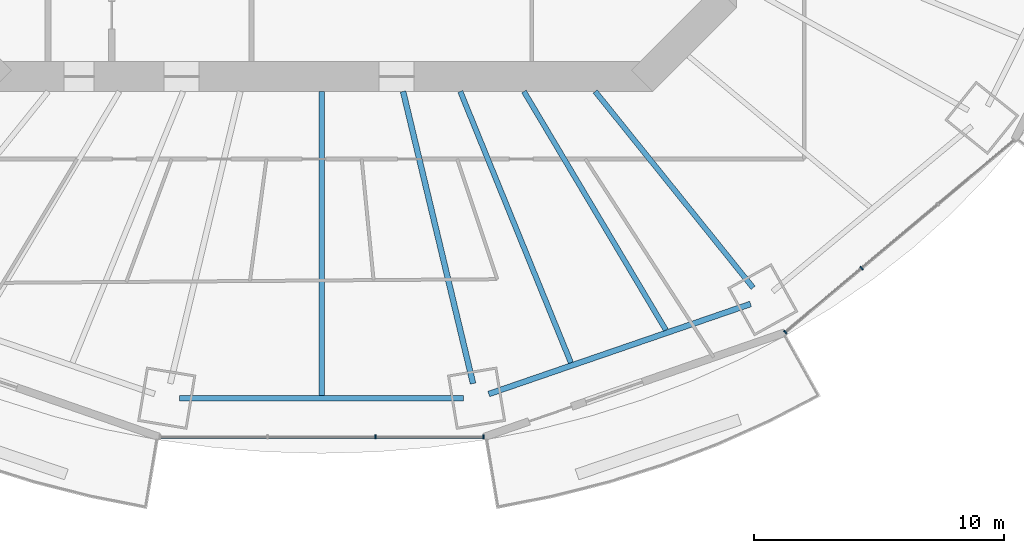
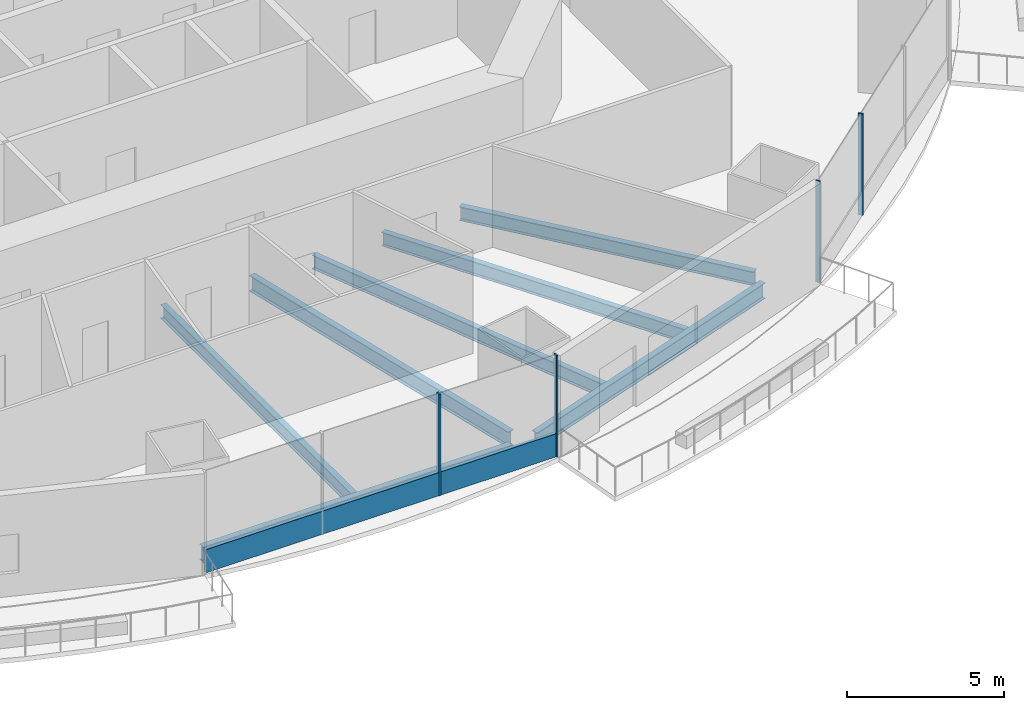
# One storey, part 4 of 18: 7 beams, 5 members, 2 elements without a shape of their own.
"""IFC4 building model written with IfcOpenShell, lengths in metres."""

from ifc_helpers import new_model, si_unit, direction, frame, origin, origin_2d, place, context, subcontext, project, spatial, rectangle, i_section, extrude, material, material_profile, profile_set, type_object, element, aggregate, save


model = new_model("IFC4")

# Units and contexts
model_context = context("Model", 3, precision=1e-05, world=origin(), true_north=direction((0.0, 1.0)))
body_context = subcontext(model_context, "Body", "Model", "MODEL_VIEW")
ifc_project = project(units=[si_unit("LENGTHUNIT", "METRE"), si_unit("AREAUNIT", "SQUARE_METRE"), si_unit("VOLUMEUNIT", "CUBIC_METRE"), si_unit("PLANEANGLEUNIT", "RADIAN"), si_unit("MASSUNIT", "GRAM", prefix="KILO")], contexts=[model_context])

# Site, building, storey
site_placement = place(None, origin())
site = spatial("IfcSite", under=ifc_project, at=site_placement, CompositionType="ELEMENT")
building_placement = place(site_placement, origin())
building = spatial("IfcBuilding", under=site, at=building_placement, Name="Marenthal Gate Tower", CompositionType="ELEMENT")
storey_placement = place(building_placement, frame((0.0, 0.0, 140.89990234375)))
storey = spatial("IfcBuildingStorey", under=building, at=storey_placement, Name="L30", CompositionType="ELEMENT", Elevation=140.89990234375)

# Curtain wall, members
ifc_material_1 = material(Name="Aluminium and glass", Category="aluminium")
curtain_wall_type = type_object("IfcCurtainWallType", Name="Curtain wall typical low", PredefinedType="NOTDEFINED", material=ifc_material_1)
curtain_wall_1_placement = place(storey_placement, origin())
curtain_wall_1 = element("IfcCurtainWall", 1, at=curtain_wall_1_placement, inside=storey, type_object=curtain_wall_type, Name="Curtain wall L30 bay 12", PredefinedType="NOTDEFINED")
ifc_material_2 = material(Name="Aluminium", Category="aluminium")
ifc_material_profile_1 = material_profile(ifc_material_2, rectangle(XDim=0.159912109375, YDim=0.06005859375, at=origin_2d()), Name="60x160 aluminium mullion")
ifc_profile_set_1 = profile_set([ifc_material_profile_1], Name="Aluminium")
member_type_1 = type_object("IfcMemberType", Name="Mullion 60x160 typical low", PredefinedType="MULLION", material=ifc_profile_set_1)
member_1_placement = place(storey_placement, frame((2.158203125, -27.419921875, 0.0), z_axis=(0.0, 0.0, 1.0), x_axis=(0.0, 1.0, 0.0)))
member_1 = element("IfcMember", 2, at=member_1_placement, type_object=member_type_1, Name="Mullion L30 bay 12.3", PredefinedType="MULLION", context=body_context, shape_type="SweptSolid", body=[
    extrude(rectangle(XDim=0.159912109375, YDim=0.06005859375, at=origin_2d()), origin(), (0.0, 0.0, 1.0), 3.9501953125),
])
member_2_placement = place(storey_placement, frame((6.474609375, -27.419921875, 0.0), z_axis=(0.0, 0.0, 1.0), x_axis=(0.0, 1.0, 0.0)))
member_2 = element("IfcMember", 3, at=member_2_placement, type_object=member_type_1, Name="Mullion L30 bay 12.4", PredefinedType="MULLION", context=body_context, shape_type="SweptSolid", body=[
    extrude(rectangle(XDim=0.159912109375, YDim=0.06005859375, at=origin_2d()), origin(), (0.0, 0.0, 1.0), 3.9501953125),
])

curtain_wall_2_placement = place(storey_placement, origin())
curtain_wall_2 = element("IfcCurtainWall", 4, at=curtain_wall_2_placement, inside=storey, type_object=curtain_wall_type, Name="Curtain wall L30 bay 14", PredefinedType="NOTDEFINED")
member_3_placement = place(storey_placement, frame((18.546875, -23.22607421875, 0.0), z_axis=(0.0, 0.0, 1.0), x_axis=(-0.642510826857, 0.766276606305, 0.0)))
member_3 = element("IfcMember", 5, at=member_3_placement, type_object=member_type_1, Name="Mullion L30 bay 14.1", PredefinedType="MULLION", context=body_context, shape_type="SweptSolid", body=[
    extrude(rectangle(XDim=0.159912109375, YDim=0.06005859375, at=origin_2d()), origin(), (0.0, 0.0, 1.0), 3.9501953125),
])
member_4_placement = place(storey_placement, frame((21.597900390625, -20.66796875, 0.0), z_axis=(0.0, 0.0, 1.0), x_axis=(-0.642510826857, 0.766276606305, 0.0)))
member_4 = element("IfcMember", 6, at=member_4_placement, type_object=member_type_1, Name="Mullion L30 bay 14.2", PredefinedType="MULLION", context=body_context, shape_type="SweptSolid", body=[
    extrude(rectangle(XDim=0.159912109375, YDim=0.06005859375, at=origin_2d()), origin(), (0.0, 0.0, 1.0), 3.9501953125),
])
aggregate(curtain_wall_2, [member_3, member_4])

# Member
ifc_material_3 = material(Name="Aluminium", Category="aluminium")
ifc_material_profile_2 = material_profile(ifc_material_3, rectangle(XDim=0.1201171875, YDim=0.89990234375, at=origin_2d()), Name="120x900 aluminium transom")
ifc_profile_set_2 = profile_set([ifc_material_profile_2], Name="Aluminium")
member_type_2 = type_object("IfcMemberType", Name="Transom 120x900 typical low", PredefinedType="USERDEFINED", material=ifc_profile_set_2)
member_5_placement = place(storey_placement, frame((-6.444580078125, -27.419921875, 0.4501953125), z_axis=(1.0, 0.0, 0.0), x_axis=(0.0, 1.0, 0.0)))
member_5 = element("IfcMember", 7, at=member_5_placement, type_object=member_type_2, Name="Transom L30 bay 12", ObjectType="TRANSOM", PredefinedType="USERDEFINED", context=body_context, shape_type="SweptSolid", body=[
    extrude(rectangle(XDim=0.1201171875, YDim=0.89990234375, at=origin_2d()), origin(), (0.0, 0.0, 1.0), 12.88916015625),
])

aggregate(curtain_wall_1, [member_1, member_2, member_5])

# Beams
ifc_material_4 = material(Name="Steel S355", Category="steel")
ifc_material_profile_3 = material_profile(ifc_material_4, i_section(OverallWidth=0.2099609375, OverallDepth=0.535888671875, WebThickness=0.010986328125, FlangeThickness=0.017333984375, FilletRadius=0.0126953125, at=origin_2d()), Name="W530X101")
ifc_profile_set_3 = profile_set([ifc_material_profile_3], Name="Steel S355")
beam_type_1 = type_object("IfcBeamType", Name="W530X101 beam", PredefinedType="BEAM", material=ifc_profile_set_3)
beam_1_placement = place(storey_placement, frame((13.769775390625, -23.14404296875, -0.447998046875), z_axis=(-0.511320752803, 0.859389950926, 0.0), x_axis=(-0.859389950926, -0.511320752803, 0.0)))
element("IfcBeam", 8, at=beam_1_placement, inside=storey, type_object=beam_type_1, Name="BM-L30-36", PredefinedType="BEAM", context=body_context, shape_type="SweptSolid", body=[
    extrude(i_section(OverallWidth=0.2099609375, OverallDepth=0.535888671875, WebThickness=0.010986328125, FlangeThickness=0.017333984375, FilletRadius=0.0126953125, at=origin_2d()), origin(), (0.0, 0.0, 1.0), 11.10546875),
])
ifc_material_5 = material(Name="Steel S355", Category="steel")
ifc_material_profile_4 = material_profile(ifc_material_5, i_section(OverallWidth=0.2119140625, OverallDepth=0.5439453125, WebThickness=0.01318359375, FlangeThickness=0.021240234375, FilletRadius=0.0126953125, at=origin_2d()), Name="W530X123")
ifc_profile_set_4 = profile_set([ifc_material_profile_4], Name="Steel S355")
beam_type_2 = type_object("IfcBeamType", Name="W530X123 beam", PredefinedType="BEAM", material=ifc_profile_set_4)
beam_2_placement = place(storey_placement, frame((17.259521484375, -21.45166015625, -0.451904296875), z_axis=(-0.6268641657, 0.77912856305, 0.0), x_axis=(-0.77912856305, -0.6268641657, 0.0)))
element("IfcBeam", 9, at=beam_2_placement, inside=storey, type_object=beam_type_2, Name="BM-L30-14", PredefinedType="BEAM", context=body_context, shape_type="SweptSolid", body=[
    extrude(i_section(OverallWidth=0.2119140625, OverallDepth=0.5439453125, WebThickness=0.01318359375, FlangeThickness=0.021240234375, FilletRadius=0.0126953125, at=origin_2d()), origin(), (0.0, 0.0, 1.0), 10.077392578125),
])
beam_3_placement = place(storey_placement, frame((0.0, -25.755615234375, -0.451904296875), z_axis=(0.0, 1.0, 0.0), x_axis=(-1.0, 0.0, 0.0)))
element("IfcBeam", 10, at=beam_3_placement, inside=storey, type_object=beam_type_2, Name="BM-L30-34", PredefinedType="BEAM", context=body_context, shape_type="SweptSolid", body=[
    extrude(i_section(OverallWidth=0.2119140625, OverallDepth=0.5439453125, WebThickness=0.01318359375, FlangeThickness=0.021240234375, FilletRadius=0.0126953125, at=origin_2d()), origin(), (0.0, 0.0, 1.0), 12.155517578125),
])
beam_4_placement = place(storey_placement, frame((9.9697265625, -24.451171875, -0.451904296875), z_axis=(-0.377553645664, 0.92598771301, 0.0), x_axis=(-0.92598771301, -0.377553645664, 0.0)))
element("IfcBeam", 11, at=beam_4_placement, inside=storey, type_object=beam_type_2, Name="BM-L30-35", PredefinedType="BEAM", context=body_context, shape_type="SweptSolid", body=[
    extrude(i_section(OverallWidth=0.2119140625, OverallDepth=0.5439453125, WebThickness=0.01318359375, FlangeThickness=0.021240234375, FilletRadius=0.0126953125, at=origin_2d()), origin(), (0.0, 0.0, 1.0), 11.71826171875),
])
ifc_material_6 = material(Name="Steel S355", Category="steel")
ifc_material_profile_5 = material_profile(ifc_material_6, i_section(OverallWidth=0.22900390625, OverallDepth=0.612060546875, WebThickness=0.011962890625, FlangeThickness=0.01953125, FilletRadius=0.0126953125, at=origin_2d()), Name="W610X125")
ifc_profile_set_5 = profile_set([ifc_material_profile_5], Name="Steel S355")
beam_type_3 = type_object("IfcBeamType", Name="W610X125 beam", PredefinedType="BEAM", material=ifc_profile_set_5)
beam_5_placement = place(storey_placement, frame((6.05615234375, -25.283935546875, -0.48583984375), z_axis=(-0.232937154271, 0.972491790279, 0.0), x_axis=(-0.972491790279, -0.232937154271, 0.0)))
element("IfcBeam", 12, at=beam_5_placement, inside=storey, type_object=beam_type_3, Name="BM-L30-13", PredefinedType="BEAM", context=body_context, shape_type="SweptSolid", body=[
    extrude(i_section(OverallWidth=0.22900390625, OverallDepth=0.612060546875, WebThickness=0.011962890625, FlangeThickness=0.01953125, FilletRadius=0.0126953125, at=origin_2d()), origin(), (0.0, 0.0, 1.0), 12.014404296875),
])
beam_6_placement = place(storey_placement, frame((-5.682861328125, -25.8701171875, -0.48583984375), z_axis=(1.0, 0.0, 0.0), x_axis=(0.0, 1.0, 0.0)))
element("IfcBeam", 13, at=beam_6_placement, inside=storey, type_object=beam_type_3, Name="BM-L30-52", PredefinedType="BEAM", context=body_context, shape_type="SweptSolid", body=[
    extrude(i_section(OverallWidth=0.22900390625, OverallDepth=0.612060546875, WebThickness=0.011962890625, FlangeThickness=0.01953125, FilletRadius=0.0126953125, at=origin_2d()), origin(), (0.0, 0.0, 1.0), 11.36572265625),
])
beam_7_placement = place(storey_placement, frame((6.682861328125, -25.702880859375, -0.48583984375), z_axis=(0.945616285836, 0.325284244871, 0.0), x_axis=(-0.325284244871, 0.945616285836, 0.0)))
element("IfcBeam", 14, at=beam_7_placement, inside=storey, type_object=beam_type_3, Name="BM-L30-53", PredefinedType="BEAM", context=body_context, shape_type="SweptSolid", body=[
    extrude(i_section(OverallWidth=0.22900390625, OverallDepth=0.612060546875, WebThickness=0.011962890625, FlangeThickness=0.01953125, FilletRadius=0.0126953125, at=origin_2d()), origin(), (0.0, 0.0, 1.0), 11.078125),
])

save(model, "model.ifc")
